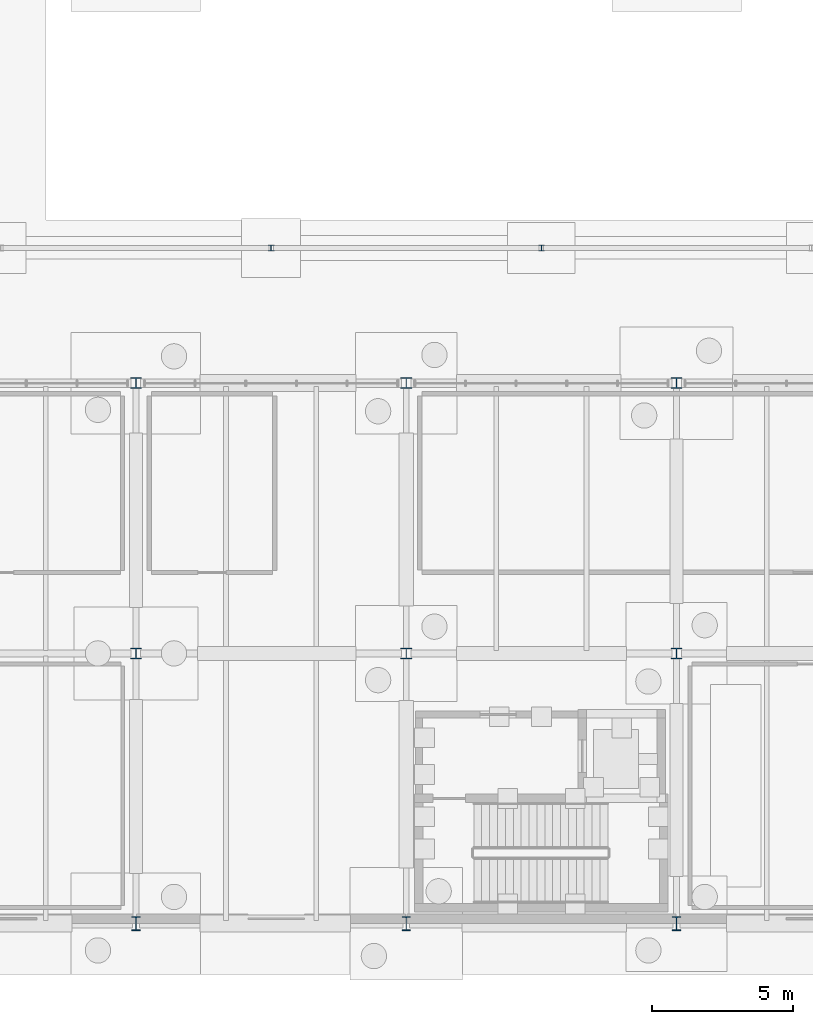
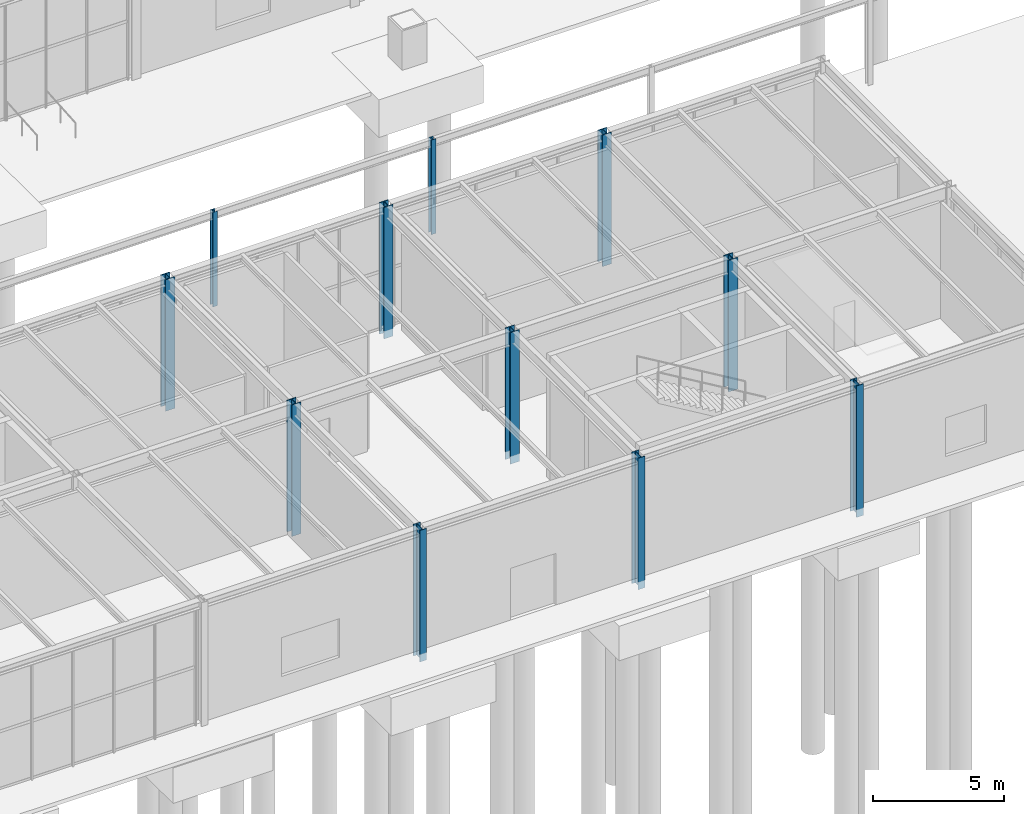
# One storey, part 11 of 142: 11 columns.
"""IFC4 building model written with IfcOpenShell, lengths in metres."""

from ifc_helpers import new_model, si_unit, direction, frame, origin, origin_2d, place, context, subcontext, project, spatial, i_section, extrude, material, material_profile, profile_set, type_object, element, save


model = new_model("IFC4")

# Units and contexts
model_context = context("Model", 3, precision=1e-05, world=origin(), true_north=direction((0.0, 1.0)))
body_context = subcontext(model_context, "Body", "Model", "MODEL_VIEW")
ifc_project = project(units=[si_unit("LENGTHUNIT", "METRE"), si_unit("AREAUNIT", "SQUARE_METRE"), si_unit("VOLUMEUNIT", "CUBIC_METRE"), si_unit("PLANEANGLEUNIT", "RADIAN"), si_unit("MASSUNIT", "GRAM", prefix="KILO")], contexts=[model_context])

# Site, building, storey
site_placement = place(None, origin())
site = spatial("IfcSite", under=ifc_project, at=site_placement, CompositionType="ELEMENT")
building_placement = place(site_placement, origin())
building = spatial("IfcBuilding", under=site, at=building_placement, Name="Coralgate Yard Interchange", CompositionType="ELEMENT")
storey_placement = place(building_placement, origin())
storey = spatial("IfcBuildingStorey", under=building, at=storey_placement, Name="L00", CompositionType="ELEMENT", Elevation=0.0)

# Columns
ifc_material = material(Name="Structural steel S355J2", Category="steel")
ifc_material_profile_1 = material_profile(ifc_material, i_section(OverallWidth=0.39892578125, OverallDepth=0.3935546875, WebThickness=0.022705078125, FlangeThickness=0.03662109375, FilletRadius=0.01513671875, at=origin_2d()), Name="UC 356x406x287")
ifc_profile_set_1 = profile_set([ifc_material_profile_1], Name="Structural steel S355J2")
column_type_1 = type_object("IfcColumnType", Name="COL-SC-1", PredefinedType="COLUMN", material=ifc_profile_set_1)
for number, where, z_axis, x_axis, name in (
    (1, (67.199951171875, 9.60009765625, -0.360107421875), (0.0, 0.0, 1.0), (1.0, 0.0, 0.0), "L00 structural column 7-1"),
    (2, (67.199951171875, 19.199951171875, -0.360107421875), (0.0, 0.0, 1.0), (1.0, 0.0, 0.0), "L00 structural column 7-2"),
    (3, (76.800048828125, 9.60009765625, -0.360107421875), (0.0, 0.0, 1.0), (1.0, 0.0, 0.0), "L00 structural column 8-1"),
    (4, (76.800048828125, 19.199951171875, -0.360107421875), (0.0, 0.0, 1.0), (1.0, 0.0, 0.0), "L00 structural column 8-2"),
    (5, (86.39990234375, 9.60009765625, -0.360107421875), (0.0, 0.0, 1.0), (1.0, 0.0, 0.0), "L00 structural column 9-1"),
    (6, (86.39990234375, 19.199951171875, -0.360107421875), (0.0, 0.0, 1.0), (1.0, 0.0, 0.0), "L00 structural column 9-2"),
):
    element("IfcColumn", number, at=place(storey_placement, frame(where, z_axis=z_axis, x_axis=x_axis)), inside=storey, type_object=column_type_1, Name=name, PredefinedType="COLUMN", context=body_context, shape_type="SweptSolid", body=[
        extrude(i_section(OverallWidth=0.39892578125, OverallDepth=0.3935546875, WebThickness=0.022705078125, FlangeThickness=0.03662109375, FilletRadius=0.01513671875, at=origin_2d()), origin(), (0.0, 0.0, 1.0), 6.110107421875),
    ])
ifc_material_profile_2 = material_profile(ifc_material, i_section(OverallWidth=0.300048828125, OverallDepth=0.5, WebThickness=0.014404296875, FlangeThickness=0.028076171875, FilletRadius=0.027099609375, at=origin_2d()), Name="HEB 500")
ifc_profile_set_2 = profile_set([ifc_material_profile_2], Name="Structural steel S355J2")
column_type_2 = type_object("IfcColumnType", Name="COL-SC-10", PredefinedType="COLUMN", material=ifc_profile_set_2)
for number, where, z_axis, x_axis, name in (
    (7, (67.199951171875, 0.0, -0.360107421875), (0.0, 0.0, 1.0), (1.0, 0.0, 0.0), "L00 structural column 7-0"),
    (8, (76.800048828125, 0.0, -0.360107421875), (0.0, 0.0, 1.0), (1.0, 0.0, 0.0), "L00 structural column 8-0"),
    (9, (86.39990234375, 0.0, -0.360107421875), (0.0, 0.0, 1.0), (1.0, 0.0, 0.0), "L00 structural column 9-0"),
):
    element("IfcColumn", number, at=place(storey_placement, frame(where, z_axis=z_axis, x_axis=x_axis)), inside=storey, type_object=column_type_2, Name=name, PredefinedType="COLUMN", context=body_context, shape_type="SweptSolid", body=[
        extrude(i_section(OverallWidth=0.300048828125, OverallDepth=0.5, WebThickness=0.014404296875, FlangeThickness=0.028076171875, FilletRadius=0.027099609375, at=origin_2d()), origin(), (0.0, 0.0, 1.0), 6.110107421875),
    ])
ifc_material_profile_3 = material_profile(ifc_material, i_section(OverallWidth=0.205810546875, OverallDepth=0.209716796875, WebThickness=0.009521484375, FlangeThickness=0.01416015625, FilletRadius=0.01025390625, at=origin_2d()), Name="UC 203x203x60")
ifc_profile_set_3 = profile_set([ifc_material_profile_3], Name="Structural steel S355J2")
column_type_3 = type_object("IfcColumnType", Name="COL-SC-9", PredefinedType="COLUMN", material=ifc_profile_set_3)
for number, where, z_axis, x_axis, name in (
    (10, (72.0, 24.0, -0.199951171875), (0.0, 0.0, 1.0), (1.0, 0.0, 0.0), "Courtyard colonnade steel column 2"),
    (11, (81.60009765625, 24.0, -0.199951171875), (0.0, 0.0, 1.0), (1.0, 0.0, 0.0), "Courtyard colonnade steel column 3"),
):
    element("IfcColumn", number, at=place(storey_placement, frame(where, z_axis=z_axis, x_axis=x_axis)), inside=storey, type_object=column_type_3, Name=name, PredefinedType="COLUMN", context=body_context, shape_type="SweptSolid", body=[
        extrude(i_section(OverallWidth=0.205810546875, OverallDepth=0.209716796875, WebThickness=0.009521484375, FlangeThickness=0.01416015625, FilletRadius=0.01025390625, at=origin_2d()), origin(), (0.0, 0.0, 1.0), 4.39990234375),
    ])

save(model, "model.ifc")
